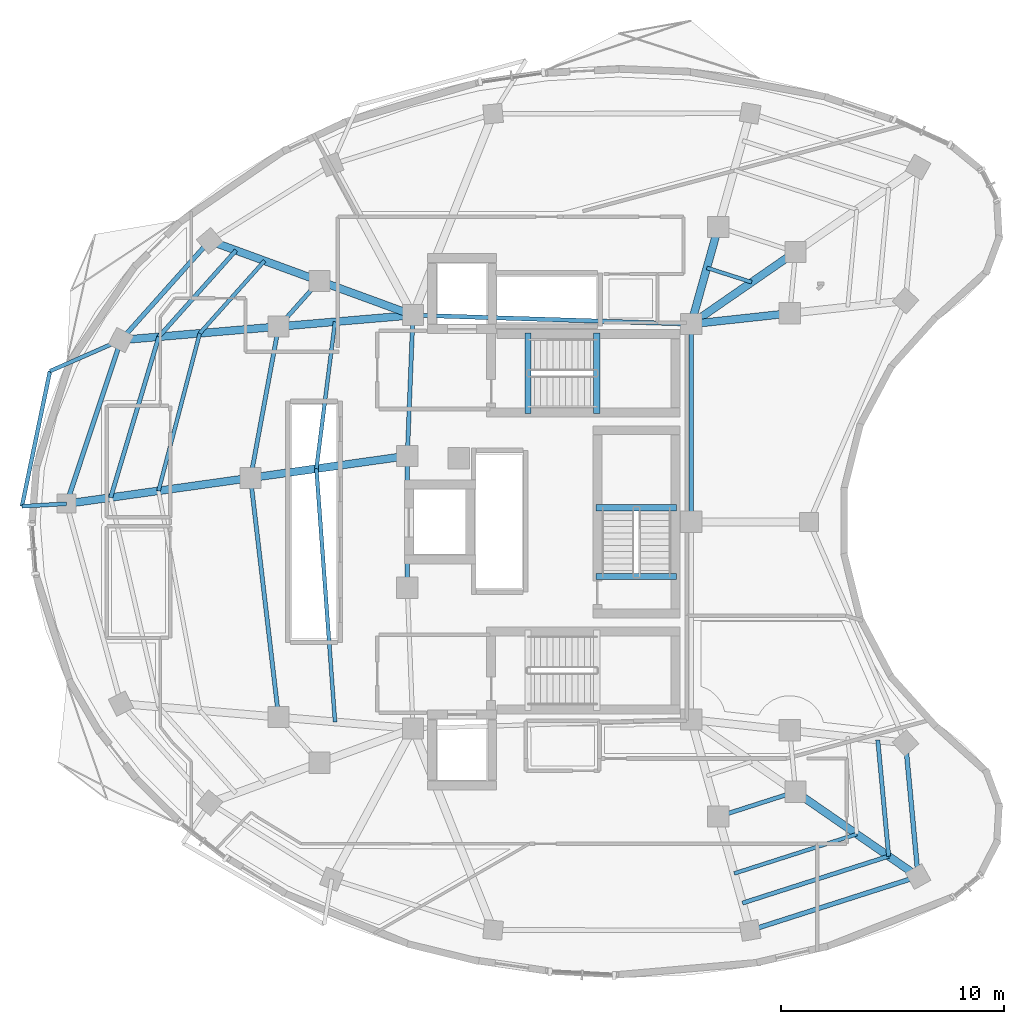
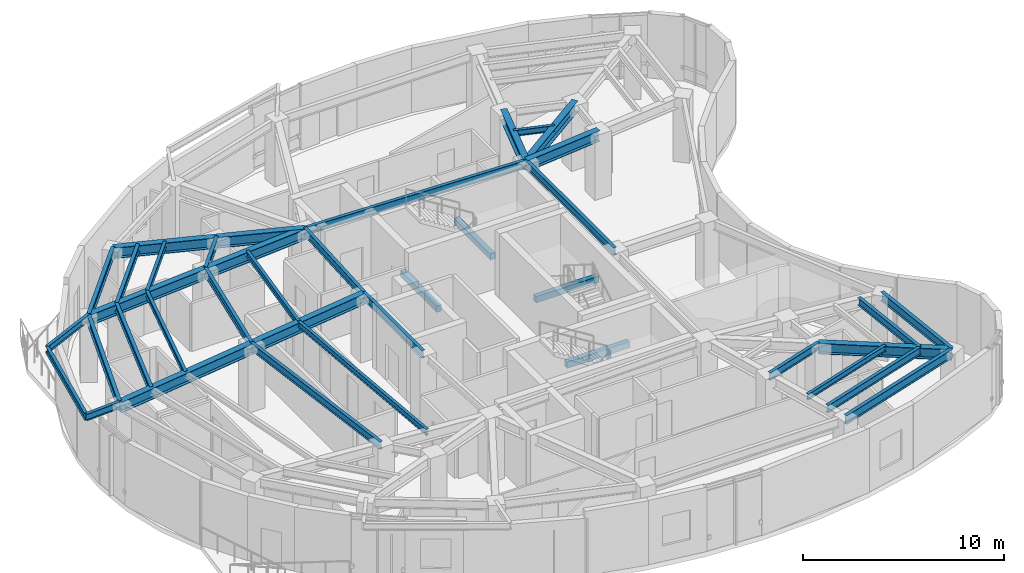
# One storey, part 3 of 13: 39 beams.
"""IFC4 building model written with IfcOpenShell, lengths in metres."""

import ifcopenshell
import ifcopenshell.guid

model = None  # the IFC model being written
_history = None  # IfcOwnerHistory: only IFC2X3 demands one
_inside = {}  # id of a spatial element -> (the spatial element, [elements in it])
_under = {}  # id of a project, library or spatial element -> (it, [spatial elements below it])
_declared = {}  # id of a project -> (the project, [libraries it declares])
_typed = {}  # id of a type object -> (the type object, [elements of that type])
_made_of = {}  # id of a material, layer set ... -> (it, [elements and type objects made of it])


def new_model(schema):
    """Start an empty IFC model of exactly this schema.

    Asked for "IFC4X3", IfcOpenShell would pick the latest addendum, in which some entities
    have other attributes; the version numbers below select the first issue.
    IFC2X3 requires an IfcOwnerHistory on every rooted entity: one is made here for all.
    """
    global model, _history
    if schema == "IFC4X3":
        model = ifcopenshell.file(schema_version=(4, 3, 0, 0))
    else:
        model = ifcopenshell.file(schema=schema)
    _inside.clear()
    _under.clear()
    _declared.clear()
    _typed.clear()
    _made_of.clear()
    _history = None
    if model.schema == "IFC2X3":
        org = make("IfcOrganization", Name="unknown")
        user = make(
            "IfcPersonAndOrganization",
            ThePerson=make("IfcPerson", FamilyName="unknown"),
            TheOrganization=org,
        )
        app = make(
            "IfcApplication",
            ApplicationDeveloper=org,
            Version="unknown",
            ApplicationFullName="unknown",
            ApplicationIdentifier="unknown",
        )
        _history = make(
            "IfcOwnerHistory",
            OwningUser=user,
            OwningApplication=app,
            ChangeAction="ADDED",
            CreationDate=0,
        )
    return model


def make(cls, **values):
    """One entity of the class cls with the attributes given. An attribute that is None is left unset."""
    return model.create_entity(
        cls, **{name: value for name, value in values.items() if value is not None}
    )


def rooted(cls, **values):
    """An entity with a GlobalId (a new one), such as an element, a storey or a relation."""
    return make(cls, GlobalId=ifcopenshell.guid.new(), OwnerHistory=_history, **values)


def si_unit(unit_type, name, prefix=None):
    """IfcSIUnit, for example si_unit("LENGTHUNIT", "METRE", prefix="MILLI")."""
    return make("IfcSIUnit", UnitType=unit_type, Prefix=prefix, Name=name)


def assignment(units):
    """IfcUnitAssignment: the units of a project."""
    return None if units is None else make("IfcUnitAssignment", Units=units)


def point(xyz):
    """IfcCartesianPoint."""
    return None if xyz is None else make("IfcCartesianPoint", Coordinates=xyz)


def direction(xyz):
    """IfcDirection."""
    return None if xyz is None else make("IfcDirection", DirectionRatios=xyz)


def frame(location, z_axis=None, x_axis=None):
    """IfcAxis2Placement3D, a coordinate frame: its origin and axes. An axis left out is left unset."""
    return make(
        "IfcAxis2Placement3D",
        Location=point(location),
        Axis=direction(z_axis),
        RefDirection=direction(x_axis),
    )


def frame_2d(location, x_axis=None):
    """IfcAxis2Placement2D, a coordinate frame in the plane: its origin and x axis."""
    return make(
        "IfcAxis2Placement2D", Location=point(location), RefDirection=direction(x_axis)
    )


def origin():
    """The frame at (0, 0, 0) with its axes left unset."""
    return frame((0.0, 0.0, 0.0))


def origin_2d():
    """The frame at (0, 0) in the plane with its x axis left unset."""
    return frame_2d((0.0, 0.0))


def place(relative_to, where):
    """IfcLocalPlacement: puts the frame where relative to a parent placement (None: the world)."""
    return make(
        "IfcLocalPlacement", PlacementRelTo=relative_to, RelativePlacement=where
    )


def context(
    kind, dimensions, precision=None, world=None, true_north=None, identifier=None
):
    """IfcGeometricRepresentationContext, for example the 3D "Model" context."""
    return make(
        "IfcGeometricRepresentationContext",
        ContextIdentifier=identifier,
        ContextType=kind,
        CoordinateSpaceDimension=dimensions,
        Precision=precision,
        WorldCoordinateSystem=world,
        TrueNorth=true_north,
    )


def subcontext(parent, identifier, kind, view, scale=None):
    """IfcGeometricRepresentationSubContext, for example "Body" below "Model"."""
    return make(
        "IfcGeometricRepresentationSubContext",
        ContextIdentifier=identifier,
        ContextType=kind,
        ParentContext=parent,
        TargetScale=scale,
        TargetView=view,
    )


def project(units=None, contexts=None):
    """IfcProject with its units and contexts."""
    return rooted(
        "IfcProject",
        Name="project",
        RepresentationContexts=contexts,
        UnitsInContext=assignment(units),
    )


def spatial(cls, under=None, at=None, **own):
    """A site, building, storey or space (cls), placed at a placement, below another one or the project."""
    s = rooted(cls, ObjectPlacement=at, **own)
    if under is not None:
        _under.setdefault(under.id(), (under, []))[1].append(s)
    return s


def profile(cls, at=None, kind="AREA", **sizes):
    """A parametric profile (cls). Its sizes go by their IFC names, for example OverallWidth=200.0."""
    return make(cls, ProfileType=kind, Position=at, **sizes)


def rectangle(**sizes):
    """IfcRectangleProfileDef."""
    return profile("IfcRectangleProfileDef", **sizes)


def i_section(**sizes):
    """IfcIShapeProfileDef."""
    return profile("IfcIShapeProfileDef", **sizes)


def extrude(swept, where, along, depth):
    """IfcExtrudedAreaSolid: the profile swept, set in the frame where, extruded along a direction by depth."""
    return make(
        "IfcExtrudedAreaSolid",
        SweptArea=swept,
        Position=where,
        ExtrudedDirection=direction(along),
        Depth=depth,
    )


def shape(context_of_items, identifier, shape_type, items):
    """IfcShapeRepresentation: the items that make up one representation, for example the "Body"."""
    return make(
        "IfcShapeRepresentation",
        ContextOfItems=context_of_items,
        RepresentationIdentifier=identifier,
        RepresentationType=shape_type,
        Items=items,
    )


def material(Name=None, Category=None):
    """IfcMaterial."""
    return make("IfcMaterial", Name=Name, Category=Category)


def material_profile(
    of_material, cross_section, Name=None, Category=None, Priority=None
):
    """IfcMaterialProfile: a cross section and its material."""
    return make(
        "IfcMaterialProfile",
        Name=Name,
        Material=of_material,
        Profile=cross_section,
        Priority=Priority,
        Category=Category,
    )


def profile_set(profiles, Name=None, composite=None):
    """IfcMaterialProfileSet."""
    return make(
        "IfcMaterialProfileSet",
        Name=Name,
        MaterialProfiles=profiles,
        CompositeProfile=composite,
    )


def made_of(thing, what):
    """Note that an element or type object is made of a material, layer set ...; save() writes the relation."""
    if what is not None:
        _made_of.setdefault(what.id(), (what, []))[1].append(thing)
    return thing


def type_object(cls, material=None, **own):
    """A type object (cls), such as IfcWallType, which elements share."""
    return made_of(rooted(cls, **own), material)


def element(
    cls,
    number,
    at=None,
    inside=None,
    cuts=None,
    type_object=None,
    material=None,
    context=None,
    identifier="Body",
    shape_type=None,
    held_by="IfcProductDefinitionShape",
    body=None,
    shapes=None,
    **own,
):
    """One element of the class cls, such as IfcWall. Its Tag is "e" and its number.

    at: its placement. inside: the storey or other place that contains it. cuts: it is an
    opening in that element (IfcRelVoidsElement). A single representation is given by context,
    identifier, shape_type and body (its items); several are given by shapes. held_by: the class
    of the entity that holds the representations. save() writes the other relations.
    """
    e = rooted(cls, Tag="e%d" % number, ObjectPlacement=at, **own)
    if body is not None:
        shapes = [shape(context, identifier, shape_type, body)]
    if shapes is not None:
        e.Representation = make(held_by, Representations=shapes)
    if inside is not None:
        _inside.setdefault(inside.id(), (inside, []))[1].append(e)
    if cuts is not None:
        rooted(
            "IfcRelVoidsElement", RelatingBuildingElement=cuts, RelatedOpeningElement=e
        )
    if type_object is not None:
        _typed.setdefault(type_object.id(), (type_object, []))[1].append(e)
    return made_of(e, material)


def aggregate(whole, parts):
    """IfcRelAggregates: a whole, such as a stair, and the parts it consists of."""
    return rooted("IfcRelAggregates", RelatingObject=whole, RelatedObjects=parts)


def save(model, path):
    """Write the relations noted so far, then the file.

    IfcRelAggregates (storeys below a building ...), IfcRelContainedInSpatialStructure (elements
    in a storey), IfcRelDefinesByType, IfcRelAssociatesMaterial and IfcRelDeclares: one each for
    every whole, place, type object, material and project.
    """
    for whole, parts in _under.values():
        aggregate(whole, parts)
    for where, things in _inside.values():
        rooted(
            "IfcRelContainedInSpatialStructure",
            RelatedElements=things,
            RelatingStructure=where,
        )
    for kind, things in _typed.values():
        rooted("IfcRelDefinesByType", RelatedObjects=things, RelatingType=kind)
    for what, things in _made_of.values():
        rooted("IfcRelAssociatesMaterial", RelatedObjects=things, RelatingMaterial=what)
    for by, libraries in _declared.values():
        rooted("IfcRelDeclares", RelatingContext=by, RelatedDefinitions=libraries)
    model.write(path)


model = new_model("IFC4")

# Units and contexts
model_context = context("Model", 3, precision=1e-05, world=origin(), true_north=direction((0.0, 1.0)))
body_context = subcontext(model_context, "Body", "Model", "MODEL_VIEW")
ifc_project = project(units=[si_unit("LENGTHUNIT", "METRE"), si_unit("AREAUNIT", "SQUARE_METRE"), si_unit("VOLUMEUNIT", "CUBIC_METRE"), si_unit("PLANEANGLEUNIT", "RADIAN"), si_unit("MASSUNIT", "GRAM", prefix="KILO")], contexts=[model_context])

# Site, building, storey
site_placement = place(None, origin())
site = spatial("IfcSite", under=ifc_project, at=site_placement, CompositionType="ELEMENT")
building_placement = place(site_placement, origin())
building = spatial("IfcBuilding", under=site, at=building_placement, Name="Korentha Bioscience Tower", CompositionType="ELEMENT")
storey_placement = place(building_placement, frame((0.0, 0.0, 268.800048828125)))
storey = spatial("IfcBuildingStorey", under=building, at=storey_placement, Name="L62", CompositionType="ELEMENT", Elevation=268.800048828125)

# Beams
ifc_material_1 = material(Name="Concrete C50", Category="concrete")
ifc_material_profile_1 = material_profile(ifc_material_1, rectangle(XDim=0.280029296875, YDim=0.3798828125, at=origin_2d()), Name="Concrete C50")
ifc_profile_set_1 = profile_set([ifc_material_profile_1], Name="Concrete C50 (ST-HB380)")
beam_type_1 = type_object("IfcBeamType", Name="Concrete Stair Header Beam RC 280x380", PredefinedType="BEAM", material=ifc_profile_set_1)
for number, where, z_axis, x_axis, name in (
    (1, (30.25, 31.85009765625, -0.18994140625), (0.0, 1.0, 0.0), (-1.0, 0.0, 0.0), "L62 ST-1 Concrete Stair Header Beam"),
    (2, (33.330078125, 31.85009765625, 1.909912109375), (0.0, 1.0, 0.0), (-1.0, 0.0, 0.0), "L62 ST-1 Half-Landing Header Beam 1"),
    (3, (36.89990234375, 24.550048828125, -0.18994140625), (-1.0, 0.0, 0.0), (0.0, -1.0, 0.0), "L62 ST-3 Concrete Stair Header Beam"),
    (4, (36.89990234375, 27.6298828125, 1.909912109375), (-1.0, 0.0, 0.0), (0.0, -1.0, 0.0), "L62 ST-3 Half-Landing Header Beam 1"),
):
    element("IfcBeam", number, at=place(storey_placement, frame(where, z_axis=z_axis, x_axis=x_axis)), inside=storey, type_object=beam_type_1, Name=name, PredefinedType="BEAM", context=body_context, shape_type="SweptSolid", body=[
        extrude(rectangle(XDim=0.280029296875, YDim=0.3798828125, at=origin_2d()), origin(), (0.0, 0.0, 1.0), 3.599853515625),
    ])
ifc_material_2 = material(Name="Steel S355", Category="steel")
ifc_material_profile_2 = material_profile(ifc_material_2, i_section(OverallWidth=0.18994140625, OverallDepth=0.45703125, WebThickness=0.009033203125, FlangeThickness=0.014404296875, at=origin_2d()), Name="Steel S355")
ifc_profile_set_2 = profile_set([ifc_material_profile_2], Name="Steel S355 (MB-460)")
beam_type_2 = type_object("IfcBeamType", Name="Mid-Ring Tie Girder W460x74", PredefinedType="BEAM", material=ifc_profile_set_2)
beam_1_placement = place(storey_placement, frame((20.915283203125, 37.78125, 3.67138671875), z_axis=(-0.666159168073, -0.745809602239, 0.0), x_axis=(0.745809602239, -0.666159168073, 0.0)))
element("IfcBeam", 5, at=beam_1_placement, inside=storey, type_object=beam_type_2, Name="L62 Mid-Ring Tie Girder 05", PredefinedType="BEAM", context=body_context, shape_type="SweptSolid", body=[
    extrude(i_section(OverallWidth=0.18994140625, OverallDepth=0.45703125, WebThickness=0.009033203125, FlangeThickness=0.014404296875, at=origin_2d()), origin(), (0.0, 0.0, 1.0), 2.740234375),
])
beam_2_placement = place(storey_placement, frame((19.08984375, 35.737548828125, 3.67138671875), z_axis=(-0.182381206512, -0.98322789602, 0.0), x_axis=(0.98322789602, -0.182381206512, 0.0)))
element("IfcBeam", 6, at=beam_2_placement, inside=storey, type_object=beam_type_2, Name="L62 Mid-Ring Tie Girder 06", PredefinedType="BEAM", context=body_context, shape_type="SweptSolid", body=[
    extrude(i_section(OverallWidth=0.18994140625, OverallDepth=0.45703125, WebThickness=0.009033203125, FlangeThickness=0.014404296875, at=origin_2d()), origin(), (0.0, 0.0, 1.0), 6.88720703125),
])
beam_3_placement = place(storey_placement, frame((17.833740234375, 28.9658203125, 3.67138671875), z_axis=(0.116556015935, -0.993184119461, 0.0), x_axis=(0.993184119461, 0.116556015935, 0.0)))
element("IfcBeam", 7, at=beam_3_placement, inside=storey, type_object=beam_type_2, Name="L62 Mid-Ring Tie Girder 07", PredefinedType="BEAM", context=body_context, shape_type="SweptSolid", body=[
    extrude(i_section(OverallWidth=0.18994140625, OverallDepth=0.45703125, WebThickness=0.009033203125, FlangeThickness=0.014404296875, at=origin_2d()), origin(), (0.0, 0.0, 1.0), 10.77685546875),
])
beam_4_placement = place(storey_placement, frame((38.76416015625, 13.81103515625, 3.67138671875), z_axis=(0.952264747125, 0.305273404318, 0.0), x_axis=(-0.305273404318, 0.952264747125, 0.0)))
element("IfcBeam", 8, at=beam_4_placement, inside=storey, type_object=beam_type_2, Name="L62 Mid-Ring Tie Girder 12", PredefinedType="BEAM", context=body_context, shape_type="SweptSolid", body=[
    extrude(i_section(OverallWidth=0.18994140625, OverallDepth=0.45703125, WebThickness=0.009033203125, FlangeThickness=0.014404296875, at=origin_2d()), origin(), (0.0, 0.0, 1.0), 3.630859375),
])
beam_5_placement = place(storey_placement, frame((37.550048828125, 35.85009765625, 3.67138671875), z_axis=(-0.999484526071, 0.032104238723, 0.0), x_axis=(-0.032104238723, -0.999484526071, 0.0)))
element("IfcBeam", 9, at=beam_5_placement, inside=storey, type_object=beam_type_2, Name="L62 Core Ring Tie Girder 01", PredefinedType="BEAM", context=body_context, shape_type="SweptSolid", body=[
    extrude(i_section(OverallWidth=0.18994140625, OverallDepth=0.45703125, WebThickness=0.009033203125, FlangeThickness=0.014404296875, at=origin_2d()), origin(), (0.0, 0.0, 1.0), 12.456298828125),
])
beam_6_placement = place(storey_placement, frame((25.10009765625, 36.25, 3.67138671875), z_axis=(-0.039651025576, -0.999213588864, 0.0), x_axis=(0.999213588864, -0.039651025576, 0.0)))
element("IfcBeam", 10, at=beam_6_placement, inside=storey, type_object=beam_type_2, Name="L62 Core Ring Tie Girder 02", PredefinedType="BEAM", context=body_context, shape_type="SweptSolid", body=[
    extrude(i_section(OverallWidth=0.18994140625, OverallDepth=0.45703125, WebThickness=0.009033203125, FlangeThickness=0.014404296875, at=origin_2d()), origin(), (0.0, 0.0, 1.0), 6.304931640625),
])
beam_7_placement = place(storey_placement, frame((24.85009765625, 29.949951171875, 3.67138671875), z_axis=(0.0, -1.0, 0.0), x_axis=(1.0, 0.0, 0.0)))
element("IfcBeam", 11, at=beam_7_placement, inside=storey, type_object=beam_type_2, Name="L62 Core Ring Tie Girder 03", PredefinedType="BEAM", context=body_context, shape_type="SweptSolid", body=[
    extrude(i_section(OverallWidth=0.18994140625, OverallDepth=0.45703125, WebThickness=0.009033203125, FlangeThickness=0.014404296875, at=origin_2d()), origin(), (0.0, 0.0, 1.0), 5.89990234375),
])
beam_8_placement = place(storey_placement, frame((37.550048828125, 27.0, 3.67138671875), z_axis=(0.0, 1.0, 0.0), x_axis=(-1.0, 0.0, 0.0)))
element("IfcBeam", 12, at=beam_8_placement, inside=storey, type_object=beam_type_2, Name="L62 Core Ring Tie Girder 07", PredefinedType="BEAM", context=body_context, shape_type="SweptSolid", body=[
    extrude(i_section(OverallWidth=0.18994140625, OverallDepth=0.45703125, WebThickness=0.009033203125, FlangeThickness=0.014404296875, at=origin_2d()), origin(), (0.0, 0.0, 1.0), 8.85009765625),
])
ifc_material_profile_3 = material_profile(ifc_material_2, i_section(OverallWidth=0.208984375, OverallDepth=0.532958984375, WebThickness=0.01025390625, FlangeThickness=0.015625, at=origin_2d()), Name="Steel S355")
ifc_profile_set_3 = profile_set([ifc_material_profile_3], Name="Steel S355 (SB-530)")
beam_type_3 = type_object("IfcBeamType", Name="Perimeter Ring Spandrel Girder W530x92", PredefinedType="SPANDREL", material=ifc_profile_set_3)
beam_9_placement = place(storey_placement, frame((16.002685546875, 39.57861328125, 3.633544921875), z_axis=(-0.666168059737, -0.745801660086, 0.0), x_axis=(0.745801660086, -0.666168059737, 0.0)))
element("IfcBeam", 13, at=beam_9_placement, inside=storey, type_object=beam_type_3, Name="L62 Perimeter Spandrel Girder 05", PredefinedType="SPANDREL", context=body_context, shape_type="SweptSolid", body=[
    extrude(i_section(OverallWidth=0.208984375, OverallDepth=0.532958984375, WebThickness=0.01025390625, FlangeThickness=0.015625, at=origin_2d()), origin(), (0.0, 0.0, 1.0), 5.956787109375),
])
beam_10_placement = place(storey_placement, frame((12.034423828125, 35.135986328125, 3.633544921875), z_axis=(-0.315658499219, -0.948872863913, 0.0), x_axis=(0.948872863913, -0.315658499219, 0.0)))
element("IfcBeam", 14, at=beam_10_placement, inside=storey, type_object=beam_type_3, Name="L62 Perimeter Spandrel Girder 06", PredefinedType="SPANDREL", context=body_context, shape_type="SweptSolid", body=[
    extrude(i_section(OverallWidth=0.208984375, OverallDepth=0.532958984375, WebThickness=0.01025390625, FlangeThickness=0.015625, at=origin_2d()), origin(), (0.0, 0.0, 1.0), 7.720458984375),
])
beam_11_placement = place(storey_placement, frame((40.189453125, 8.7177734375, 3.633544921875), z_axis=(0.952281827014, 0.305220120468, 0.0), x_axis=(-0.305220120468, 0.952281827014, 0.0)))
element("IfcBeam", 15, at=beam_11_placement, inside=storey, type_object=beam_type_3, Name="L62 Perimeter Spandrel Girder 12", PredefinedType="SPANDREL", context=body_context, shape_type="SweptSolid", body=[
    extrude(i_section(OverallWidth=0.208984375, OverallDepth=0.532958984375, WebThickness=0.01025390625, FlangeThickness=0.015625, at=origin_2d()), origin(), (0.0, 0.0, 1.0), 7.893310546875),
])
beam_12_placement = place(storey_placement, frame((47.7060546875, 11.126953125, 3.633544921875), z_axis=(-0.093365902602, 0.995631863809, 0.0), x_axis=(-0.995631863809, -0.093365902602, 0.0)))
element("IfcBeam", 16, at=beam_12_placement, inside=storey, type_object=beam_type_3, Name="L62 Perimeter Spandrel Girder 13", PredefinedType="SPANDREL", context=body_context, shape_type="SweptSolid", body=[
    extrude(i_section(OverallWidth=0.208984375, OverallDepth=0.532958984375, WebThickness=0.01025390625, FlangeThickness=0.015625, at=origin_2d()), origin(), (0.0, 0.0, 1.0), 6.003662109375),
])
ifc_material_profile_4 = material_profile(ifc_material_2, i_section(OverallWidth=0.18994140625, OverallDepth=0.45703125, WebThickness=0.009033203125, FlangeThickness=0.014404296875, at=origin_2d()), Name="Steel S355")
ifc_profile_set_4 = profile_set([ifc_material_profile_4], Name="Steel S355 (RB-460)")
beam_type_4 = type_object("IfcBeamType", Name="Radial Laboratory Beam W460x74", PredefinedType="BEAM", material=ifc_profile_set_4)
beam_13_placement = place(storey_placement, frame((17.181884765625, 39.147216796875, 3.67138671875), z_axis=(-0.666197283, -0.745775556132, 0.0), x_axis=(0.745775556132, -0.666197283, 0.0)))
element("IfcBeam", 17, at=beam_13_placement, inside=storey, type_object=beam_type_4, Name="L62 Secondary Floor Beam JSTO-05", PredefinedType="BEAM", context=body_context, shape_type="SweptSolid", body=[
    extrude(i_section(OverallWidth=0.18994140625, OverallDepth=0.45703125, WebThickness=0.009033203125, FlangeThickness=0.014404296875, at=origin_2d()), origin(), (0.0, 0.0, 1.0), 5.184814453125),
])
beam_14_placement = place(storey_placement, frame((13.727783203125, 35.280517578125, 3.67138671875), z_axis=(-0.28682281491, -0.957983649572, 0.0), x_axis=(0.957983649572, -0.28682281491, 0.0)))
element("IfcBeam", 18, at=beam_14_placement, inside=storey, type_object=beam_type_4, Name="L62 Secondary Floor Beam JSTO-06", PredefinedType="BEAM", context=body_context, shape_type="SweptSolid", body=[
    extrude(i_section(OverallWidth=0.18994140625, OverallDepth=0.45703125, WebThickness=0.009033203125, FlangeThickness=0.014404296875, at=origin_2d()), origin(), (0.0, 0.0, 1.0), 7.50830078125),
])
beam_15_placement = place(storey_placement, frame((39.847412109375, 9.940185546875, 3.67138671875), z_axis=(0.952283347378, 0.305215376917, 0.0), x_axis=(-0.305215376917, 0.952283347378, 0.0)))
element("IfcBeam", 19, at=beam_15_placement, inside=storey, type_object=beam_type_4, Name="L62 Secondary Floor Beam JSTO-12", PredefinedType="BEAM", context=body_context, shape_type="SweptSolid", body=[
    extrude(i_section(OverallWidth=0.18994140625, OverallDepth=0.45703125, WebThickness=0.009033203125, FlangeThickness=0.014404296875, at=origin_2d()), origin(), (0.0, 0.0, 1.0), 6.870361328125),
])
beam_16_placement = place(storey_placement, frame((46.389892578125, 12.037109375, 3.67138671875), z_axis=(-0.093391362324, 0.995629475982, 0.0), x_axis=(-0.995629475982, -0.093391362324, 0.0)))
element("IfcBeam", 20, at=beam_16_placement, inside=storey, type_object=beam_type_4, Name="L62 Secondary Floor Beam JSTO-13", PredefinedType="BEAM", context=body_context, shape_type="SweptSolid", body=[
    extrude(i_section(OverallWidth=0.18994140625, OverallDepth=0.45703125, WebThickness=0.009033203125, FlangeThickness=0.014404296875, at=origin_2d()), origin(), (0.0, 0.0, 1.0), 5.225830078125),
])
ifc_material_profile_5 = material_profile(ifc_material_2, i_section(OverallWidth=0.35009765625, OverallDepth=0.64990234375, WebThickness=0.01611328125, FlangeThickness=0.02490234375, at=origin_2d()), Name="Steel S355")
ifc_profile_set_5 = profile_set([ifc_material_profile_5], Name="Steel S355 (RB-650)")
beam_type_5 = type_object("IfcBeamType", Name="Radial Laboratory Girder CVS 650x208", PredefinedType="BEAM", material=ifc_profile_set_5)
beam_17_placement = place(storey_placement, frame((37.550048828125, 35.85009765625, 3.574951171875), z_axis=(0.822500009141, 0.56876509647, 0.0), x_axis=(-0.56876509647, 0.822500009141, 0.0)))
element("IfcBeam", 21, at=beam_17_placement, inside=storey, type_object=beam_type_5, Name="L62 Inner Radial Girder 01", PredefinedType="BEAM", context=body_context, shape_type="SweptSolid", body=[
    extrude(i_section(OverallWidth=0.35009765625, OverallDepth=0.64990234375, WebThickness=0.01611328125, FlangeThickness=0.02490234375, at=origin_2d()), origin(), (0.0, 0.0, 1.0), 5.6796875),
])
beam_18_placement = place(storey_placement, frame((37.550048828125, 35.85009765625, 3.574951171875), z_axis=(0.269471139951, 0.963008465556, 0.0), x_axis=(-0.963008465556, 0.269471139951, 0.0)))
element("IfcBeam", 22, at=beam_18_placement, inside=storey, type_object=beam_type_5, Name="L62 Inner Radial Girder 02", PredefinedType="BEAM", context=body_context, shape_type="SweptSolid", body=[
    extrude(i_section(OverallWidth=0.35009765625, OverallDepth=0.64990234375, WebThickness=0.01611328125, FlangeThickness=0.02490234375, at=origin_2d()), origin(), (0.0, 0.0, 1.0), 4.505615234375),
])
beam_19_placement = place(storey_placement, frame((25.10009765625, 36.25, 3.574951171875), z_axis=(-0.939106897866, 0.343625136422, 0.0), x_axis=(-0.343625136422, -0.939106897866, 0.0)))
element("IfcBeam", 23, at=beam_19_placement, inside=storey, type_object=beam_type_5, Name="L62 Inner Radial Girder 05", PredefinedType="BEAM", context=body_context, shape_type="SweptSolid", body=[
    extrude(i_section(OverallWidth=0.35009765625, OverallDepth=0.64990234375, WebThickness=0.01611328125, FlangeThickness=0.02490234375, at=origin_2d()), origin(), (0.0, 0.0, 1.0), 4.4560546875),
])
beam_20_placement = place(storey_placement, frame((20.915283203125, 37.78125, 3.574951171875), z_axis=(-0.939118444477, 0.343593578583, 0.0), x_axis=(-0.343593578583, -0.939118444477, 0.0)))
element("IfcBeam", 24, at=beam_20_placement, inside=storey, type_object=beam_type_5, Name="L62 Outer Radial Girder 05", PredefinedType="BEAM", context=body_context, shape_type="SweptSolid", body=[
    extrude(i_section(OverallWidth=0.35009765625, OverallDepth=0.64990234375, WebThickness=0.01611328125, FlangeThickness=0.02490234375, at=origin_2d()), origin(), (0.0, 0.0, 1.0), 5.23095703125),
])
beam_21_placement = place(storey_placement, frame((25.10009765625, 36.25, 3.574951171875), z_axis=(-0.996384825277, -0.084954575849, 0.0), x_axis=(0.084954575849, -0.996384825277, 0.0)))
element("IfcBeam", 25, at=beam_21_placement, inside=storey, type_object=beam_type_5, Name="L62 Inner Radial Girder 06", PredefinedType="BEAM", context=body_context, shape_type="SweptSolid", body=[
    extrude(i_section(OverallWidth=0.35009765625, OverallDepth=0.64990234375, WebThickness=0.01611328125, FlangeThickness=0.02490234375, at=origin_2d()), origin(), (0.0, 0.0, 1.0), 6.031982421875),
])
beam_22_placement = place(storey_placement, frame((19.08984375, 35.737548828125, 3.574951171875), z_axis=(-0.996384854796, -0.084954229635, 0.0), x_axis=(0.084954229635, -0.996384854796, 0.0)))
element("IfcBeam", 26, at=beam_22_placement, inside=storey, type_object=beam_type_5, Name="L62 Outer Radial Girder 06", PredefinedType="BEAM", context=body_context, shape_type="SweptSolid", body=[
    extrude(i_section(OverallWidth=0.35009765625, OverallDepth=0.64990234375, WebThickness=0.01611328125, FlangeThickness=0.02490234375, at=origin_2d()), origin(), (0.0, 0.0, 1.0), 7.0810546875),
])
beam_23_placement = place(storey_placement, frame((24.85009765625, 29.949951171875, 3.574951171875), z_axis=(-0.990306038615, -0.138902663338, 0.0), x_axis=(0.138902663338, -0.990306038615, 0.0)))
element("IfcBeam", 27, at=beam_23_placement, inside=storey, type_object=beam_type_5, Name="L62 Inner Radial Girder 07", PredefinedType="BEAM", context=body_context, shape_type="SweptSolid", body=[
    extrude(i_section(OverallWidth=0.35009765625, OverallDepth=0.64990234375, WebThickness=0.01611328125, FlangeThickness=0.02490234375, at=origin_2d()), origin(), (0.0, 0.0, 1.0), 7.0849609375),
])
beam_24_placement = place(storey_placement, frame((17.833740234375, 28.9658203125, 3.574951171875), z_axis=(-0.990301560164, -0.138934588696, 0.0), x_axis=(0.138934588696, -0.990301560164, 0.0)))
element("IfcBeam", 28, at=beam_24_placement, inside=storey, type_object=beam_type_5, Name="L62 Outer Radial Girder 07", PredefinedType="BEAM", context=body_context, shape_type="SweptSolid", body=[
    extrude(i_section(OverallWidth=0.35009765625, OverallDepth=0.64990234375, WebThickness=0.01611328125, FlangeThickness=0.02490234375, at=origin_2d()), origin(), (0.0, 0.0, 1.0), 8.31689453125),
])
beam_25_placement = place(storey_placement, frame((42.2216796875, 14.91943359375, 3.574951171875), z_axis=(0.822500508627, -0.568764374155, 0.0), x_axis=(0.568764374155, 0.822500508627, 0.0)))
element("IfcBeam", 29, at=beam_25_placement, inside=storey, type_object=beam_type_5, Name="L62 Outer Radial Girder 13", PredefinedType="BEAM", context=body_context, shape_type="SweptSolid", body=[
    extrude(i_section(OverallWidth=0.35009765625, OverallDepth=0.64990234375, WebThickness=0.01611328125, FlangeThickness=0.02490234375, at=origin_2d()), origin(), (0.0, 0.0, 1.0), 6.66796875),
])
beam_26_placement = place(storey_placement, frame((37.550048828125, 35.85009765625, 3.574951171875), z_axis=(0.994121454153, 0.108270653423, 0.0), x_axis=(-0.108270653423, 0.994121454153, 0.0)))
element("IfcBeam", 30, at=beam_26_placement, inside=storey, type_object=beam_type_5, Name="L62 Inner Radial Girder 16", PredefinedType="BEAM", context=body_context, shape_type="SweptSolid", body=[
    extrude(i_section(OverallWidth=0.35009765625, OverallDepth=0.64990234375, WebThickness=0.01611328125, FlangeThickness=0.02490234375, at=origin_2d()), origin(), (0.0, 0.0, 1.0), 4.43994140625),
])
ifc_material_profile_6 = material_profile(ifc_material_2, i_section(OverallWidth=0.1708984375, OverallDepth=0.35498046875, WebThickness=0.007080078125, FlangeThickness=0.01171875, at=origin_2d()), Name="Steel S355")
ifc_profile_set_6 = profile_set([ifc_material_profile_6], Name="Steel S355 (JB-360)")
beam_type_6 = type_object("IfcBeamType", Name="Secondary Laboratory Joist W360x51", PredefinedType="JOIST", material=ifc_profile_set_6)
beam_27_placement = place(storey_placement, frame((40.259521484375, 37.7236328125, 3.722412109375), z_axis=(-0.952238215196, 0.305356155202, 0.0), x_axis=(-0.305356155202, -0.952238215196, 0.0)))
element("IfcBeam", 31, at=beam_27_placement, inside=storey, type_object=beam_type_6, Name="L62 Inner Bay Joist 01", PredefinedType="JOIST", context=body_context, shape_type="SweptSolid", body=[
    extrude(i_section(OverallWidth=0.1708984375, OverallDepth=0.35498046875, WebThickness=0.007080078125, FlangeThickness=0.01171875, at=origin_2d()), origin(), (0.0, 0.0, 1.0), 2.10595703125),
])
beam_28_placement = place(storey_placement, frame((18.458984375, 38.679931640625, 3.722412109375), z_axis=(-0.666180871809, -0.745790215836, 0.0), x_axis=(0.745790215836, -0.666180871809, 0.0)))
element("IfcBeam", 32, at=beam_28_placement, inside=storey, type_object=beam_type_6, Name="L62 Secondary Floor Beam JST-05", PredefinedType="JOIST", context=body_context, shape_type="SweptSolid", body=[
    extrude(i_section(OverallWidth=0.1708984375, OverallDepth=0.35498046875, WebThickness=0.007080078125, FlangeThickness=0.01171875, at=origin_2d()), origin(), (0.0, 0.0, 1.0), 4.3486328125),
])
beam_29_placement = place(storey_placement, frame((15.56201171875, 35.436767578125, 3.722412109375), z_axis=(-0.253407917841, -0.967359512888, 0.0), x_axis=(0.967359512888, -0.253407917841, 0.0)))
element("IfcBeam", 33, at=beam_29_placement, inside=storey, type_object=beam_type_6, Name="L62 Secondary Floor Beam JST-06", PredefinedType="JOIST", context=body_context, shape_type="SweptSolid", body=[
    extrude(i_section(OverallWidth=0.1708984375, OverallDepth=0.35498046875, WebThickness=0.007080078125, FlangeThickness=0.01171875, at=origin_2d()), origin(), (0.0, 0.0, 1.0), 7.286376953125),
])
beam_30_placement = place(storey_placement, frame((21.614013671875, 35.952880859375, 3.722412109375), z_axis=(-0.125784907958, -0.992057537107, 0.0), x_axis=(0.992057537107, -0.125784907958, 0.0)))
element("IfcBeam", 34, at=beam_30_placement, inside=storey, type_object=beam_type_6, Name="L62 Inner Bay Joist 06", PredefinedType="JOIST", context=body_context, shape_type="SweptSolid", body=[
    extrude(i_section(OverallWidth=0.1708984375, OverallDepth=0.35498046875, WebThickness=0.007080078125, FlangeThickness=0.01171875, at=origin_2d()), origin(), (0.0, 0.0, 1.0), 6.62646484375),
])
beam_31_placement = place(storey_placement, frame((20.780517578125, 29.379150390625, 3.722412109375), z_axis=(0.073354070829, -0.997305961224, 0.0), x_axis=(0.997305961224, 0.073354070829, 0.0)))
element("IfcBeam", 35, at=beam_31_placement, inside=storey, type_object=beam_type_6, Name="L62 Inner Bay Joist 07", PredefinedType="JOIST", context=body_context, shape_type="SweptSolid", body=[
    extrude(i_section(OverallWidth=0.1708984375, OverallDepth=0.35498046875, WebThickness=0.007080078125, FlangeThickness=0.01171875, at=origin_2d()), origin(), (0.0, 0.0, 1.0), 11.362548828125),
])
beam_32_placement = place(storey_placement, frame((39.476806640625, 11.264404296875, 3.722412109375), z_axis=(0.95227644606, 0.30523690845, 0.0), x_axis=(-0.30523690845, 0.95227644606, 0.0)))
element("IfcBeam", 36, at=beam_32_placement, inside=storey, type_object=beam_type_6, Name="L62 Secondary Floor Beam JST-12", PredefinedType="JOIST", context=body_context, shape_type="SweptSolid", body=[
    extrude(i_section(OverallWidth=0.1708984375, OverallDepth=0.35498046875, WebThickness=0.007080078125, FlangeThickness=0.01171875, at=origin_2d()), origin(), (0.0, 0.0, 1.0), 5.761962890625),
])
ifc_material_profile_7 = material_profile(ifc_material_2, i_section(OverallWidth=0.177978515625, OverallDepth=0.406982421875, WebThickness=0.0078125, FlangeThickness=0.0126953125, at=origin_2d()), Name="Steel S355")
ifc_profile_set_7 = profile_set([ifc_material_profile_7], Name="Steel S355 (CB-410)")
beam_type_7 = type_object("IfcBeamType", Name="Sun-Ledge Cantilever Beam W410x60", PredefinedType="BEAM", material=ifc_profile_set_7)
beam_33_placement = place(storey_placement, frame((12.034423828125, 35.135986328125, 3.698486328125), z_axis=(-0.915780485789, -0.401679103076, 0.0), x_axis=(0.401679103076, -0.915780485789, 0.0)))
element("IfcBeam", 37, at=beam_33_placement, inside=storey, type_object=beam_type_7, Name="L62 Balcony Cantilever Bracket A-L63-02", PredefinedType="BEAM", context=body_context, shape_type="SweptSolid", body=[
    extrude(i_section(OverallWidth=0.177978515625, OverallDepth=0.406982421875, WebThickness=0.0078125, FlangeThickness=0.0126953125, at=origin_2d()), origin(), (0.0, 0.0, 1.0), 3.468017578125),
])
beam_34_placement = place(storey_placement, frame((9.597412109375, 27.810302734375, 3.698486328125), z_axis=(-0.998353975187, -0.05735277001, 0.0), x_axis=(0.05735277001, -0.998353975187, 0.0)))
element("IfcBeam", 38, at=beam_34_placement, inside=storey, type_object=beam_type_7, Name="L62 Balcony Cantilever Bracket B-L63-02", PredefinedType="BEAM", context=body_context, shape_type="SweptSolid", body=[
    extrude(i_section(OverallWidth=0.177978515625, OverallDepth=0.406982421875, WebThickness=0.0078125, FlangeThickness=0.0126953125, at=origin_2d()), origin(), (0.0, 0.0, 1.0), 1.996337890625),
])
beam_35_placement = place(storey_placement, frame((8.8583984375, 33.742919921875, 3.698486328125), z_axis=(-0.203074868792, -0.979163212986, 0.0), x_axis=(0.979163212986, -0.203074868792, 0.0)))
element("IfcBeam", 39, at=beam_35_placement, inside=storey, type_object=beam_type_7, Name="L62 Balcony Edge Trimmer Beam L63-02", PredefinedType="BEAM", context=body_context, shape_type="SweptSolid", body=[
    extrude(i_section(OverallWidth=0.177978515625, OverallDepth=0.406982421875, WebThickness=0.0078125, FlangeThickness=0.0126953125, at=origin_2d()), origin(), (0.0, 0.0, 1.0), 6.17578125),
])

save(model, "model.ifc")
